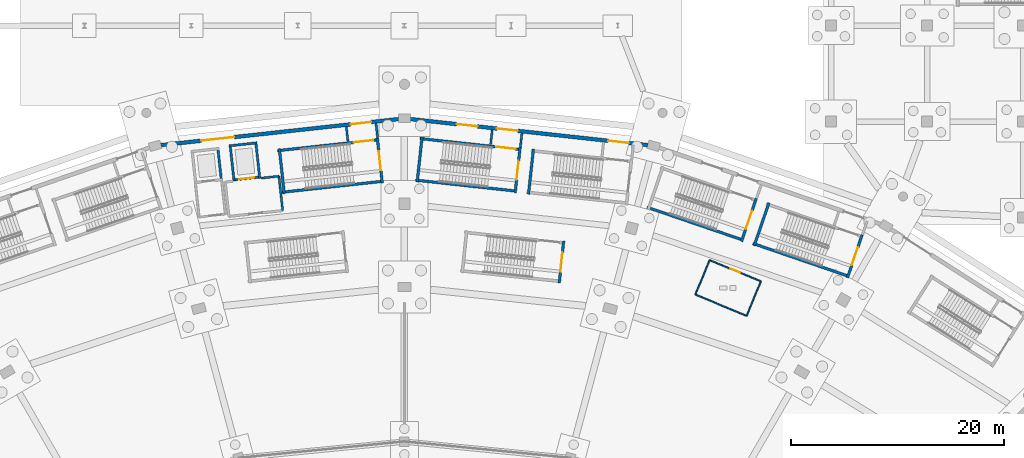
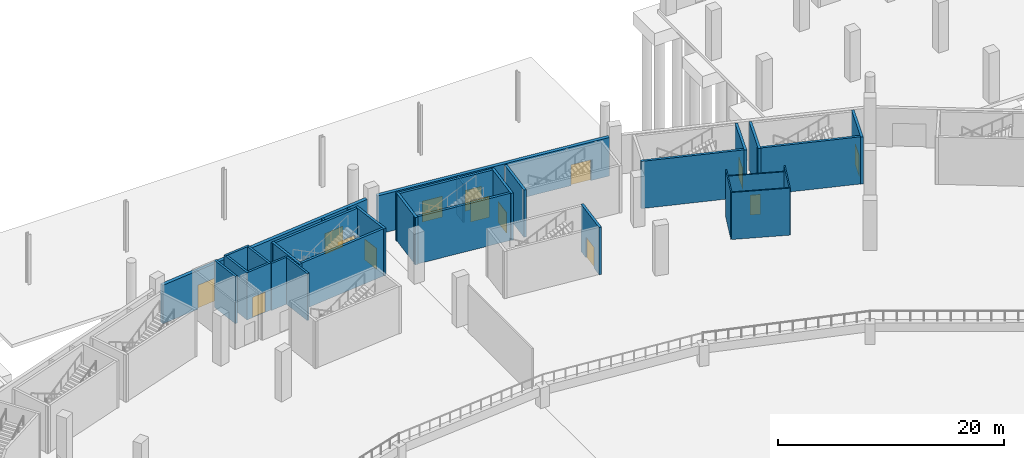
# One storey, part 46 of 103: 32 walls, 14 doors, 14 openings.
"""IFC4 building model written with IfcOpenShell, lengths in metres."""

import ifcopenshell
import ifcopenshell.guid

model = None  # the IFC model being written
_history = None  # IfcOwnerHistory: only IFC2X3 demands one
_inside = {}  # id of a spatial element -> (the spatial element, [elements in it])
_under = {}  # id of a project, library or spatial element -> (it, [spatial elements below it])
_declared = {}  # id of a project -> (the project, [libraries it declares])
_typed = {}  # id of a type object -> (the type object, [elements of that type])
_made_of = {}  # id of a material, layer set ... -> (it, [elements and type objects made of it])


def new_model(schema):
    """Start an empty IFC model of exactly this schema.

    Asked for "IFC4X3", IfcOpenShell would pick the latest addendum, in which some entities
    have other attributes; the version numbers below select the first issue.
    IFC2X3 requires an IfcOwnerHistory on every rooted entity: one is made here for all.
    """
    global model, _history
    if schema == "IFC4X3":
        model = ifcopenshell.file(schema_version=(4, 3, 0, 0))
    else:
        model = ifcopenshell.file(schema=schema)
    _inside.clear()
    _under.clear()
    _declared.clear()
    _typed.clear()
    _made_of.clear()
    _history = None
    if model.schema == "IFC2X3":
        org = make("IfcOrganization", Name="unknown")
        user = make(
            "IfcPersonAndOrganization",
            ThePerson=make("IfcPerson", FamilyName="unknown"),
            TheOrganization=org,
        )
        app = make(
            "IfcApplication",
            ApplicationDeveloper=org,
            Version="unknown",
            ApplicationFullName="unknown",
            ApplicationIdentifier="unknown",
        )
        _history = make(
            "IfcOwnerHistory",
            OwningUser=user,
            OwningApplication=app,
            ChangeAction="ADDED",
            CreationDate=0,
        )
    return model


def make(cls, **values):
    """One entity of the class cls with the attributes given. An attribute that is None is left unset."""
    return model.create_entity(
        cls, **{name: value for name, value in values.items() if value is not None}
    )


def rooted(cls, **values):
    """An entity with a GlobalId (a new one), such as an element, a storey or a relation."""
    return make(cls, GlobalId=ifcopenshell.guid.new(), OwnerHistory=_history, **values)


def si_unit(unit_type, name, prefix=None):
    """IfcSIUnit, for example si_unit("LENGTHUNIT", "METRE", prefix="MILLI")."""
    return make("IfcSIUnit", UnitType=unit_type, Prefix=prefix, Name=name)


def assignment(units):
    """IfcUnitAssignment: the units of a project."""
    return None if units is None else make("IfcUnitAssignment", Units=units)


def point(xyz):
    """IfcCartesianPoint."""
    return None if xyz is None else make("IfcCartesianPoint", Coordinates=xyz)


def direction(xyz):
    """IfcDirection."""
    return None if xyz is None else make("IfcDirection", DirectionRatios=xyz)


def frame(location, z_axis=None, x_axis=None):
    """IfcAxis2Placement3D, a coordinate frame: its origin and axes. An axis left out is left unset."""
    return make(
        "IfcAxis2Placement3D",
        Location=point(location),
        Axis=direction(z_axis),
        RefDirection=direction(x_axis),
    )


def frame_2d(location, x_axis=None):
    """IfcAxis2Placement2D, a coordinate frame in the plane: its origin and x axis."""
    return make(
        "IfcAxis2Placement2D", Location=point(location), RefDirection=direction(x_axis)
    )


def origin():
    """The frame at (0, 0, 0) with its axes left unset."""
    return frame((0.0, 0.0, 0.0))


def place(relative_to, where):
    """IfcLocalPlacement: puts the frame where relative to a parent placement (None: the world)."""
    return make(
        "IfcLocalPlacement", PlacementRelTo=relative_to, RelativePlacement=where
    )


def context(
    kind, dimensions, precision=None, world=None, true_north=None, identifier=None
):
    """IfcGeometricRepresentationContext, for example the 3D "Model" context."""
    return make(
        "IfcGeometricRepresentationContext",
        ContextIdentifier=identifier,
        ContextType=kind,
        CoordinateSpaceDimension=dimensions,
        Precision=precision,
        WorldCoordinateSystem=world,
        TrueNorth=true_north,
    )


def subcontext(parent, identifier, kind, view, scale=None):
    """IfcGeometricRepresentationSubContext, for example "Body" below "Model"."""
    return make(
        "IfcGeometricRepresentationSubContext",
        ContextIdentifier=identifier,
        ContextType=kind,
        ParentContext=parent,
        TargetScale=scale,
        TargetView=view,
    )


def project(units=None, contexts=None):
    """IfcProject with its units and contexts."""
    return rooted(
        "IfcProject",
        Name="project",
        RepresentationContexts=contexts,
        UnitsInContext=assignment(units),
    )


def spatial(cls, under=None, at=None, **own):
    """A site, building, storey or space (cls), placed at a placement, below another one or the project."""
    s = rooted(cls, ObjectPlacement=at, **own)
    if under is not None:
        _under.setdefault(under.id(), (under, []))[1].append(s)
    return s


def profile(cls, at=None, kind="AREA", **sizes):
    """A parametric profile (cls). Its sizes go by their IFC names, for example OverallWidth=200.0."""
    return make(cls, ProfileType=kind, Position=at, **sizes)


def rectangle(**sizes):
    """IfcRectangleProfileDef."""
    return profile("IfcRectangleProfileDef", **sizes)


def extrude(swept, where, along, depth):
    """IfcExtrudedAreaSolid: the profile swept, set in the frame where, extruded along a direction by depth."""
    return make(
        "IfcExtrudedAreaSolid",
        SweptArea=swept,
        Position=where,
        ExtrudedDirection=direction(along),
        Depth=depth,
    )


def shape(context_of_items, identifier, shape_type, items):
    """IfcShapeRepresentation: the items that make up one representation, for example the "Body"."""
    return make(
        "IfcShapeRepresentation",
        ContextOfItems=context_of_items,
        RepresentationIdentifier=identifier,
        RepresentationType=shape_type,
        Items=items,
    )


def material(Name=None, Category=None):
    """IfcMaterial."""
    return make("IfcMaterial", Name=Name, Category=Category)


def layer(
    of_material, thickness, ventilated=None, Name=None, Category=None, Priority=None
):
    """IfcMaterialLayer: one layer of a wall or slab, of a material (None: an air gap)."""
    return make(
        "IfcMaterialLayer",
        Material=of_material,
        LayerThickness=thickness,
        IsVentilated=ventilated,
        Name=Name,
        Category=Category,
        Priority=Priority,
    )


def layer_set(layers, Name=None):
    """IfcMaterialLayerSet."""
    return make("IfcMaterialLayerSet", MaterialLayers=layers, LayerSetName=Name)


def made_of(thing, what):
    """Note that an element or type object is made of a material, layer set ...; save() writes the relation."""
    if what is not None:
        _made_of.setdefault(what.id(), (what, []))[1].append(thing)
    return thing


def type_object(cls, material=None, **own):
    """A type object (cls), such as IfcWallType, which elements share."""
    return made_of(rooted(cls, **own), material)


def element(
    cls,
    number,
    at=None,
    inside=None,
    cuts=None,
    type_object=None,
    material=None,
    context=None,
    identifier="Body",
    shape_type=None,
    held_by="IfcProductDefinitionShape",
    body=None,
    shapes=None,
    **own,
):
    """One element of the class cls, such as IfcWall. Its Tag is "e" and its number.

    at: its placement. inside: the storey or other place that contains it. cuts: it is an
    opening in that element (IfcRelVoidsElement). A single representation is given by context,
    identifier, shape_type and body (its items); several are given by shapes. held_by: the class
    of the entity that holds the representations. save() writes the other relations.
    """
    e = rooted(cls, Tag="e%d" % number, ObjectPlacement=at, **own)
    if body is not None:
        shapes = [shape(context, identifier, shape_type, body)]
    if shapes is not None:
        e.Representation = make(held_by, Representations=shapes)
    if inside is not None:
        _inside.setdefault(inside.id(), (inside, []))[1].append(e)
    if cuts is not None:
        rooted(
            "IfcRelVoidsElement", RelatingBuildingElement=cuts, RelatedOpeningElement=e
        )
    if type_object is not None:
        _typed.setdefault(type_object.id(), (type_object, []))[1].append(e)
    return made_of(e, material)


def fill(opening, filler):
    """IfcRelFillsElement: the door or window that sits in an opening."""
    return rooted(
        "IfcRelFillsElement",
        RelatingOpeningElement=opening,
        RelatedBuildingElement=filler,
    )


def aggregate(whole, parts):
    """IfcRelAggregates: a whole, such as a stair, and the parts it consists of."""
    return rooted("IfcRelAggregates", RelatingObject=whole, RelatedObjects=parts)


def save(model, path):
    """Write the relations noted so far, then the file.

    IfcRelAggregates (storeys below a building ...), IfcRelContainedInSpatialStructure (elements
    in a storey), IfcRelDefinesByType, IfcRelAssociatesMaterial and IfcRelDeclares: one each for
    every whole, place, type object, material and project.
    """
    for whole, parts in _under.values():
        aggregate(whole, parts)
    for where, things in _inside.values():
        rooted(
            "IfcRelContainedInSpatialStructure",
            RelatedElements=things,
            RelatingStructure=where,
        )
    for kind, things in _typed.values():
        rooted("IfcRelDefinesByType", RelatedObjects=things, RelatingType=kind)
    for what, things in _made_of.values():
        rooted("IfcRelAssociatesMaterial", RelatedObjects=things, RelatingMaterial=what)
    for by, libraries in _declared.values():
        rooted("IfcRelDeclares", RelatingContext=by, RelatedDefinitions=libraries)
    model.write(path)


model = new_model("IFC4")

# Units and contexts
model_context = context("Model", 3, precision=1e-05, world=origin(), true_north=direction((0.0, 1.0)))
body_context = subcontext(model_context, "Body", "Model", "MODEL_VIEW")
ifc_project = project(units=[si_unit("LENGTHUNIT", "METRE"), si_unit("AREAUNIT", "SQUARE_METRE"), si_unit("VOLUMEUNIT", "CUBIC_METRE"), si_unit("PLANEANGLEUNIT", "RADIAN"), si_unit("MASSUNIT", "GRAM", prefix="KILO")], contexts=[model_context])

# Site, building, storey
site_placement = place(None, origin())
site = spatial("IfcSite", under=ifc_project, at=site_placement, CompositionType="ELEMENT")
building_placement = place(site_placement, origin())
building = spatial("IfcBuilding", under=site, at=building_placement, Name="Zevraka Park Crest Stadium", CompositionType="ELEMENT")
storey_placement = place(building_placement, origin())
storey = spatial("IfcBuildingStorey", under=building, at=storey_placement, Name="L00", CompositionType="ELEMENT", Elevation=0.0)

# Wall, openings, doors
ifc_material_1 = material(Name="Limestone and red clay brick masonry", Category="masonry")
ifc_layer_1 = layer(ifc_material_1, 0.35009765625)
ifc_layer_set_1 = layer_set([ifc_layer_1], Name="Limestone and red clay brick masonry")
wall_type_1 = type_object("IfcWallType", Name="EW01", PredefinedType="STANDARD", material=ifc_layer_set_1)
wall_1_placement = place(storey_placement, frame((112.52490234375, 167.241943359375, 0.0), z_axis=(0.0, 0.0, 1.0), x_axis=(0.994028735725, -0.10911861689, 0.0)))
wall_1 = element("IfcWall", 1, at=wall_1_placement, inside=storey, type_object=wall_type_1, Name="L00 Pointed-Arch Colonnade Wall EW01 05", PredefinedType="STANDARD", context=body_context, shape_type="SweptSolid", body=[
    extrude(rectangle(XDim=22.4521484375, YDim=0.35009765625, at=frame_2d((11.22607421875, 0.0))), origin(), (0.0, 0.0, 1.0), 4.1650390625),
])
opening_1_placement = place(wall_1_placement, frame((18.697021484375, 0.0, 0.0)))
opening_1 = element("IfcOpeningElement", 2, at=opening_1_placement, cuts=wall_1, Name="Opening D-L00-EX-ST06", PredefinedType="OPENING", context=body_context, shape_type="SweptSolid", body=[
    extrude(rectangle(XDim=1.949951171875, YDim=2.25, at=frame_2d((0.97509765625, 1.125))), frame((0.0, 0.18505859375, 0.0), z_axis=(0.0, -1.0, 0.0), x_axis=(1.0, 0.0, 0.0)), (0.0, 0.0, 1.0), 0.3701171875),
])
opening_2_placement = place(wall_1_placement, frame((8.197021484375, 0.0, 0.0)))
opening_2 = element("IfcOpeningElement", 3, at=opening_2_placement, cuts=wall_1, Name="Opening D-L00-EX-ST26", PredefinedType="OPENING", context=body_context, shape_type="SweptSolid", body=[
    extrude(rectangle(XDim=1.949951171875, YDim=2.25, at=frame_2d((0.97509765625, 1.125))), frame((0.0, 0.18505859375, 0.0), z_axis=(0.0, -1.0, 0.0), x_axis=(1.0, 0.0, 0.0)), (0.0, 0.0, 1.0), 0.3701171875),
])
opening_3_placement = place(wall_1_placement, frame((4.4130859375, 0.0, 0.0)))
opening_3 = element("IfcOpeningElement", 4, at=opening_3_placement, cuts=wall_1, Name="Opening D-L00-E06", PredefinedType="OPENING", context=body_context, shape_type="SweptSolid", body=[
    extrude(rectangle(XDim=1.949951171875, YDim=2.25, at=frame_2d((0.97509765625, 1.125))), frame((0.0, 0.18505859375, 0.0), z_axis=(0.0, -1.0, 0.0), x_axis=(1.0, 0.0, 0.0)), (0.0, 0.0, 1.0), 0.3701171875),
])
ifc_material_2 = material(Name="Thermally broken architectural aluminium and safety glass", Category="aluminium")
door_type_1 = type_object("IfcDoorType", Name="ED05", OperationType="NOTDEFINED", PredefinedType="DOOR", material=ifc_material_2)
door_1_placement = place(opening_1_placement, origin())
door_1 = element("IfcDoor", 5, at=door_1_placement, inside=storey, type_object=door_type_1, Name="Stair Final Exit Discharge Door D-L00-EX-ST06", OperationType="DOUBLE_DOOR_SINGLE_SWING", OverallHeight=2.25, OverallWidth=1.949951171875, PredefinedType="DOOR", context=body_context, shape_type="SweptSolid", body=[
    extrude(rectangle(XDim=1.949951171875, YDim=2.25, at=frame_2d((0.97509765625, 1.125))), frame((0.0, 0.02490234375, 0.0), z_axis=(0.0, -1.0, 0.0), x_axis=(1.0, 0.0, 0.0)), (0.0, 0.0, 1.0), 0.050048828125),
])
fill(opening_1, door_1)
door_2_placement = place(opening_2_placement, origin())
door_2 = element("IfcDoor", 6, at=door_2_placement, inside=storey, type_object=door_type_1, Name="Stair Final Exit Discharge Door D-L00-EX-ST26", OperationType="DOUBLE_DOOR_SINGLE_SWING", OverallHeight=2.25, OverallWidth=1.949951171875, PredefinedType="DOOR", context=body_context, shape_type="SweptSolid", body=[
    extrude(rectangle(XDim=1.949951171875, YDim=2.25, at=frame_2d((0.97509765625, 1.125))), frame((0.0, 0.02490234375, 0.0), z_axis=(0.0, -1.0, 0.0), x_axis=(1.0, 0.0, 0.0)), (0.0, 0.0, 1.0), 0.050048828125),
])
fill(opening_2, door_2)
door_3_placement = place(opening_3_placement, origin())
door_3 = element("IfcDoor", 7, at=door_3_placement, inside=storey, type_object=door_type_1, Name="Concourse Final Exit E06", OperationType="DOUBLE_DOOR_SINGLE_SWING", OverallHeight=2.25, OverallWidth=1.949951171875, PredefinedType="DOOR", context=body_context, shape_type="SweptSolid", body=[
    extrude(rectangle(XDim=1.949951171875, YDim=2.25, at=frame_2d((0.97509765625, 1.125))), frame((0.0, 0.02490234375, 0.0), z_axis=(0.0, -1.0, 0.0), x_axis=(1.0, 0.0, 0.0)), (0.0, 0.0, 1.0), 0.050048828125),
])
fill(opening_3, door_3)

wall_2_placement = place(storey_placement, frame((89.156982421875, 164.7919921875, 0.0), z_axis=(0.0, 0.0, 1.0), x_axis=(0.994028735725, 0.10911861689, 0.0)))
wall_2 = element("IfcWall", 8, at=wall_2_placement, inside=storey, type_object=wall_type_1, Name="L00 Pointed-Arch Colonnade Wall EW01 06", PredefinedType="STANDARD", context=body_context, shape_type="SweptSolid", body=[
    extrude(rectangle(XDim=22.4521484375, YDim=0.35009765625, at=frame_2d((11.22607421875, 0.0))), origin(), (0.0, 0.0, 1.0), 4.1650390625),
])
opening_4_placement = place(wall_2_placement, frame((17.906005859375, 0.0, 0.0)))
opening_4 = element("IfcOpeningElement", 9, at=opening_4_placement, cuts=wall_2, Name="Opening D-L00-EX-ST07", PredefinedType="OPENING", context=body_context, shape_type="SweptSolid", body=[
    extrude(rectangle(XDim=1.949951171875, YDim=2.25, at=frame_2d((0.97509765625, 1.125))), frame((0.0, 0.18505859375, 0.0), z_axis=(0.0, -1.0, 0.0), x_axis=(1.0, 0.0, 0.0)), (0.0, 0.0, 1.0), 0.3701171875),
])
opening_5_placement = place(wall_2_placement, frame((3.837890625, 0.0, 0.0)))
opening_5 = element("IfcOpeningElement", 10, at=opening_5_placement, cuts=wall_2, Name="Opening D-L00-E07", PredefinedType="OPENING", context=body_context, shape_type="SweptSolid", body=[
    extrude(rectangle(XDim=3.10009765625, YDim=2.580078125, at=frame_2d((1.550048828125, 1.2900390625))), frame((0.0, 0.18505859375, 0.0), z_axis=(0.0, -1.0, 0.0), x_axis=(1.0, 0.0, 0.0)), (0.0, 0.0, 1.0), 0.3701171875),
])
door_4_placement = place(opening_4_placement, origin())
door_4 = element("IfcDoor", 11, at=door_4_placement, inside=storey, type_object=door_type_1, Name="Stair Final Exit Discharge Door D-L00-EX-ST07", OperationType="DOUBLE_DOOR_SINGLE_SWING", OverallHeight=2.25, OverallWidth=1.949951171875, PredefinedType="DOOR", context=body_context, shape_type="SweptSolid", body=[
    extrude(rectangle(XDim=1.949951171875, YDim=2.25, at=frame_2d((0.97509765625, 1.125))), frame((0.0, 0.02490234375, 0.0), z_axis=(0.0, -1.0, 0.0), x_axis=(1.0, 0.0, 0.0)), (0.0, 0.0, 1.0), 0.050048828125),
])
fill(opening_4, door_4)
ifc_material_3 = material(Name="Thermally broken architectural aluminium and safety glass", Category="aluminium")
door_type_2 = type_object("IfcDoorType", Name="ED11", OperationType="NOTDEFINED", PredefinedType="DOOR", material=ifc_material_3)
door_5_placement = place(opening_5_placement, origin())
door_5 = element("IfcDoor", 12, at=door_5_placement, inside=storey, type_object=door_type_2, Name="Concourse Final Exit E07", OperationType="DOUBLE_DOOR_SINGLE_SWING", OverallHeight=2.580078125, OverallWidth=3.10009765625, PredefinedType="DOOR", context=body_context, shape_type="SweptSolid", body=[
    extrude(rectangle(XDim=3.10009765625, YDim=2.580078125, at=frame_2d((1.550048828125, 1.2900390625))), frame((0.0, 0.02490234375, 0.0), z_axis=(0.0, -1.0, 0.0), x_axis=(1.0, 0.0, 0.0)), (0.0, 0.0, 1.0), 0.050048828125),
])
fill(opening_5, door_5)

# Walls
ifc_material_4 = material(Name="Autoclaved aerated masonry blockwork", Category="masonry")
ifc_layer_2 = layer(ifc_material_4, 0.199951171875)
ifc_layer_set_2 = layer_set([ifc_layer_2], Name="Autoclaved aerated masonry blockwork")
wall_type_2 = type_object("IfcWallType", Name="IW01", PredefinedType="PARTITIONING", material=ifc_layer_set_2)
wall_3_placement = place(storey_placement, frame((109.485107421875, 165.46875, 0.0), z_axis=(0.0, 0.0, 1.0), x_axis=(-0.109371701479, 0.994000920983, 0.0)))
element("IfcWall", 13, at=wall_3_placement, inside=storey, type_object=wall_type_2, Name="Protected Exit Passageway Wall IW01 ST07-A", PredefinedType="PARTITIONING", context=body_context, shape_type="SweptSolid", body=[
    extrude(rectangle(XDim=1.390625, YDim=0.199951171875, at=frame_2d((0.6953125, 0.0))), origin(), (0.0, 0.0, 1.0), 4.1650390625),
])
wall_4_placement = place(storey_placement, frame((106.701416015625, 165.165771484375, 0.0), z_axis=(0.0, 0.0, 1.0), x_axis=(-0.109022528394, 0.994039279054, 0.0)))
element("IfcWall", 14, at=wall_4_placement, inside=storey, type_object=wall_type_2, Name="Protected Exit Passageway Wall IW01 ST07-B", PredefinedType="PARTITIONING", context=body_context, shape_type="SweptSolid", body=[
    extrude(rectangle(XDim=1.388427734375, YDim=0.199951171875, at=frame_2d((0.6943359375, 0.0))), origin(), (0.0, 0.0, 1.0), 4.1650390625),
])
wall_5_placement = place(storey_placement, frame((122.8662109375, 164.559326171875, 0.0), z_axis=(0.0, 0.0, 1.0), x_axis=(0.109094546517, 0.994031377734, 0.0)))
element("IfcWall", 15, at=wall_5_placement, inside=storey, type_object=wall_type_2, Name="Protected Exit Passageway Wall IW01 ST26-A", PredefinedType="PARTITIONING", context=body_context, shape_type="SweptSolid", body=[
    extrude(rectangle(XDim=1.383056640625, YDim=0.199951171875, at=frame_2d((0.69140625, 0.0))), origin(), (0.0, 0.0, 1.0), 4.1650390625),
])
wall_6_placement = place(storey_placement, frame((120.08251953125, 164.8623046875, 0.0), z_axis=(0.0, 0.0, 1.0), x_axis=(0.109213425596, 0.994018323609, 0.0)))
element("IfcWall", 16, at=wall_6_placement, inside=storey, type_object=wall_type_2, Name="Protected Exit Passageway Wall IW01 ST26-B", PredefinedType="PARTITIONING", context=body_context, shape_type="SweptSolid", body=[
    extrude(rectangle(XDim=1.385986328125, YDim=0.199951171875, at=frame_2d((0.69287109375, 0.0))), origin(), (0.0, 0.0, 1.0), 4.1650390625),
])
wall_7_placement = place(storey_placement, frame((98.52490234375, 161.697998046875, 0.0), z_axis=(0.0, 0.0, 1.0), x_axis=(0.994135511072, 0.108141507414, 0.0)))
element("IfcWall", 17, at=wall_7_placement, inside=storey, type_object=wall_type_2, Name="Firefighting Lift Lobby Wall IW01 FL02 L00 BACKR", PredefinedType="PARTITIONING", context=body_context, shape_type="SweptSolid", body=[
    extrude(rectangle(XDim=1.72021484375, YDim=0.199951171875, at=frame_2d((0.860107421875, 0.0))), origin(), (0.0, 0.0, 1.0), 5.080078125),
])
wall_8_placement = place(storey_placement, frame((100.235107421875, 161.884033203125, 0.0), z_axis=(0.0, 0.0, 1.0), x_axis=(0.108280975823, -0.994120329877, 0.0)))
element("IfcWall", 18, at=wall_8_placement, inside=storey, type_object=wall_type_2, Name="Firefighting Lift Lobby Wall IW01 FL02 L00 RIGHT", PredefinedType="PARTITIONING", context=body_context, shape_type="SweptSolid", body=[
    extrude(rectangle(XDim=3.239990234375, YDim=0.199951171875, at=frame_2d((1.6201171875, 0.0))), origin(), (0.0, 0.0, 1.0), 5.080078125),
])
ifc_material_5 = material(Name="Moisture-resistant sanitary partition", Category="other")
ifc_layer_3 = layer(ifc_material_5, 0.1201171875)
ifc_layer_set_3 = layer_set([ifc_layer_3], Name="Moisture-resistant sanitary partition")
wall_type_3 = type_object("IfcWallType", Name="IW04", PredefinedType="PARTITIONING", material=ifc_layer_set_3)
wall_9_placement = place(storey_placement, frame((144.0791015625, 148.7939453125, 0.0), z_axis=(0.0, 0.0, 1.0), x_axis=(-0.923877780955, 0.38268766097, 0.0)))
element("IfcWall", 19, at=wall_9_placement, inside=storey, type_object=wall_type_3, Name="Sanitary Enclosure Wall IW04 Female WC L00-002-1", PredefinedType="PARTITIONING", context=body_context, shape_type="SweptSolid", body=[
    extrude(rectangle(XDim=5.199951171875, YDim=0.1201171875, at=frame_2d((2.60009765625, 0.0))), origin(), (0.0, 0.0, 1.0), 5.080078125),
])
wall_10_placement = place(storey_placement, frame((139.27490234375, 150.783935546875, 0.0), z_axis=(0.0, 0.0, 1.0), x_axis=(0.38265781443, 0.923890143391, 0.0)))
element("IfcWall", 20, at=wall_10_placement, inside=storey, type_object=wall_type_3, Name="Sanitary Enclosure Wall IW04 Female WC L00-002-2", PredefinedType="PARTITIONING", context=body_context, shape_type="SweptSolid", body=[
    extrude(rectangle(XDim=3.49951171875, YDim=0.1201171875, at=frame_2d((1.749755859375, 0.0))), origin(), (0.0, 0.0, 1.0), 5.080078125),
])

# Wall, opening, door
wall_11_placement = place(storey_placement, frame((140.614013671875, 154.01708984375, 0.0), z_axis=(0.0, 0.0, 1.0), x_axis=(0.923898404293, -0.382637868675, 0.0)))
wall_11 = element("IfcWall", 21, at=wall_11_placement, inside=storey, type_object=wall_type_3, Name="Sanitary Enclosure Wall IW04 Female WC L00-002-3", PredefinedType="PARTITIONING", context=body_context, shape_type="SweptSolid", body=[
    extrude(rectangle(XDim=5.20068359375, YDim=0.1201171875, at=frame_2d((2.600341796875, 0.0))), origin(), (0.0, 0.0, 1.0), 4.4150390625),
])
opening_6_placement = place(wall_11_placement, frame((2.125, 0.0, 0.0)))
opening_6 = element("IfcOpeningElement", 22, at=opening_6_placement, cuts=wall_11, Name="Opening D-L00-338", PredefinedType="OPENING", context=body_context, shape_type="SweptSolid", body=[
    extrude(rectangle(XDim=0.949951171875, YDim=2.14990234375, at=frame_2d((0.47509765625, 1.074951171875))), frame((0.0, 0.070068359375, 0.0), z_axis=(0.0, -1.0, 0.0), x_axis=(1.0, 0.0, 0.0)), (0.0, 0.0, 1.0), 0.14013671875),
])
ifc_material_6 = material(Name="Solid-core hardwood timber leaf in steel frame", Category="steel")
door_type_3 = type_object("IfcDoorType", Name="DR08", OperationType="NOTDEFINED", PredefinedType="DOOR", material=ifc_material_6)
door_6_placement = place(opening_6_placement, origin())
door_6 = element("IfcDoor", 23, at=door_6_placement, inside=storey, type_object=door_type_3, Name="Female WC Door D-L00-338", OperationType="SINGLE_SWING_RIGHT", OverallHeight=2.14990234375, OverallWidth=0.949951171875, PredefinedType="DOOR", context=body_context, shape_type="SweptSolid", body=[
    extrude(rectangle(XDim=0.949951171875, YDim=2.14990234375, at=frame_2d((0.47509765625, 1.074951171875))), frame((0.0, 0.02490234375, 0.0), z_axis=(0.0, -1.0, 0.0), x_axis=(1.0, 0.0, 0.0)), (0.0, 0.0, 1.0), 0.050048828125),
])
fill(opening_6, door_6)

# Walls
wall_12_placement = place(storey_placement, frame((145.4189453125, 152.027099609375, 0.0), z_axis=(0.0, 0.0, 1.0), x_axis=(-0.38283644003, -0.923816139816, 0.0)))
element("IfcWall", 24, at=wall_12_placement, inside=storey, type_object=wall_type_3, Name="Sanitary Enclosure Wall IW04 Female WC L00-002-4", PredefinedType="PARTITIONING", context=body_context, shape_type="SweptSolid", body=[
    extrude(rectangle(XDim=3.499755859375, YDim=0.1201171875, at=frame_2d((1.75, 0.0))), origin(), (0.0, 0.0, 1.0), 5.080078125),
])
ifc_material_7 = material(Name="Concrete C40/50", Category="concrete")
ifc_layer_4 = layer(ifc_material_7, 0.25)
ifc_layer_set_4 = layer_set([ifc_layer_4], Name="Concrete C40/50")
wall_type_4 = type_object("IfcWallType", Name="SW01", PredefinedType="SHEAR", material=ifc_layer_set_4)
wall_13_placement = place(storey_placement, frame((144.671630859375, 155.576171875, 0.0), z_axis=(0.0, 0.0, 1.0), x_axis=(0.946064424228, -0.323978556712, 0.0)))
element("IfcWall", 25, at=wall_13_placement, inside=storey, type_object=wall_type_4, Name="Stair Core Shear Wall SW01 ST05 L00 right", PredefinedType="SHEAR", context=body_context, shape_type="SweptSolid", body=[
    extrude(rectangle(XDim=9.550048828125, YDim=0.25, at=frame_2d((4.77490234375, 0.0))), origin(), (0.0, 0.0, 1.0), 5.10009765625),
])

# Wall, opening, door
wall_14_placement = place(storey_placement, frame((153.533203125, 152.36181640625, 0.0), z_axis=(0.0, 0.0, 1.0), x_axis=(0.323971192516, 0.946066946056, 0.0)))
wall_14 = element("IfcWall", 26, at=wall_14_placement, inside=storey, type_object=wall_type_4, Name="Stair Core Shear Wall SW01 ST05 L00 near", PredefinedType="SHEAR", context=body_context, shape_type="SweptSolid", body=[
    extrude(rectangle(XDim=4.260009765625, YDim=0.25, at=frame_2d((2.1298828125, 0.0))), origin(), (0.0, 0.0, 1.0), 5.10009765625),
])
opening_7_placement = place(wall_14_placement, frame((1.22998046875, 0.0, 0.0)))
opening_7 = element("IfcOpeningElement", 27, at=opening_7_placement, cuts=wall_14, Name="Opening D-L00-026", PredefinedType="OPENING", context=body_context, shape_type="SweptSolid", body=[
    extrude(rectangle(XDim=1.800048828125, YDim=2.25, at=frame_2d((0.89990234375, 1.125))), frame((0.0, 0.135009765625, 0.0), z_axis=(0.0, -1.0, 0.0), x_axis=(1.0, 0.0, 0.0)), (0.0, 0.0, 1.0), 0.27001953125),
])
ifc_material_8 = material(Name="Solid-core hardwood timber leaf in steel frame", Category="steel")
door_type_4 = type_object("IfcDoorType", Name="DR04", OperationType="NOTDEFINED", PredefinedType="DOOR", material=ifc_material_8)
door_7_placement = place(opening_7_placement, origin())
door_7 = element("IfcDoor", 28, at=door_7_placement, inside=storey, type_object=door_type_4, Name="Protected Stair Entry Door ST05 L00", OperationType="DOUBLE_DOOR_SINGLE_SWING", OverallHeight=2.25, OverallWidth=1.800048828125, PredefinedType="DOOR", context=body_context, shape_type="SweptSolid", body=[
    extrude(rectangle(XDim=1.800048828125, YDim=2.25, at=frame_2d((0.89990234375, 1.125))), frame((0.0, 0.02490234375, 0.0), z_axis=(0.0, -1.0, 0.0), x_axis=(1.0, 0.0, 0.0)), (0.0, 0.0, 1.0), 0.050048828125),
])
fill(opening_7, door_7)

# Walls
for number, where, z_axis, x_axis, name in (
    (29, (146.171630859375, 159.385498046875, 0.0), (0.0, 0.0, 1.0), (-0.323971192516, -0.946066946056, 0.0), "Stair Core Shear Wall SW01 ST05 L00 far"),
    (30, (124.093505859375, 164.426025390625, 0.0), (0.0, 0.0, 1.0), (-0.108198315262, -0.994129329903, 0.0), "Stair Core Shear Wall SW01 ST06 L00 far"),
):
    element("IfcWall", number, at=place(storey_placement, frame(where, z_axis=z_axis, x_axis=x_axis)), inside=storey, type_object=wall_type_4, Name=name, PredefinedType="SHEAR", context=body_context, shape_type="SweptSolid", body=[
        extrude(rectangle(XDim=4.260009765625, YDim=0.25, at=frame_2d((2.1298828125, 0.0))), origin(), (0.0, 0.0, 1.0), 5.10009765625),
    ])

# Wall, opening, door
wall_15_placement = place(storey_placement, frame((100.10888671875, 164.277099609375, 0.0), z_axis=(0.0, 0.0, 1.0), x_axis=(0.994127555169, 0.108214620337, 0.0)))
wall_15 = element("IfcWall", 31, at=wall_15_placement, inside=storey, type_object=wall_type_4, Name="Stair Core Shear Wall SW01 ST07 L00 left", PredefinedType="SHEAR", context=body_context, shape_type="SweptSolid", body=[
    extrude(rectangle(XDim=9.550048828125, YDim=0.25, at=frame_2d((4.77490234375, 0.0))), origin(), (0.0, 0.0, 1.0), 5.10009765625),
])
opening_8_placement = place(wall_15_placement, frame((7.18994140625, 0.0, 0.0)))
opening_8 = element("IfcOpeningElement", 32, at=opening_8_placement, cuts=wall_15, Name="Opening D-L00-038", PredefinedType="OPENING", context=body_context, shape_type="SweptSolid", body=[
    extrude(rectangle(XDim=1.85009765625, YDim=2.300048828125, at=frame_2d((0.925048828125, 1.14990234375))), frame((0.0, 0.135009765625, 0.0), z_axis=(0.0, -1.0, 0.0), x_axis=(1.0, 0.0, 0.0)), (0.0, 0.0, 1.0), 0.27001953125),
])
ifc_material_9 = material(Name="Solid-core hardwood timber leaf in steel frame", Category="steel")
door_type_5 = type_object("IfcDoorType", Name="DR05", OperationType="NOTDEFINED", PredefinedType="DOOR", material=ifc_material_9)
door_8_placement = place(opening_8_placement, origin())
door_8 = element("IfcDoor", 33, at=door_8_placement, inside=storey, type_object=door_type_5, Name="Stair Exit Discharge Door ST07", OperationType="DOUBLE_DOOR_SINGLE_SWING", OverallHeight=2.300048828125, OverallWidth=1.85009765625, PredefinedType="DOOR", context=body_context, shape_type="SweptSolid", body=[
    extrude(rectangle(XDim=1.85009765625, YDim=2.300048828125, at=frame_2d((0.925048828125, 1.14990234375))), frame((0.0, 0.02490234375, 0.0), z_axis=(0.0, -1.0, 0.0), x_axis=(1.0, 0.0, 0.0)), (0.0, 0.0, 1.0), 0.050048828125),
])
fill(opening_8, door_8)

# Wall
wall_16_placement = place(storey_placement, frame((100.533203125, 160.380126953125, 0.0), z_axis=(0.0, 0.0, 1.0), x_axis=(0.994127555169, 0.108214620337, 0.0)))
element("IfcWall", 34, at=wall_16_placement, inside=storey, type_object=wall_type_4, Name="Stair Core Shear Wall SW01 ST07 L00 right", PredefinedType="SHEAR", context=body_context, shape_type="SweptSolid", body=[
    extrude(rectangle(XDim=9.550048828125, YDim=0.25, at=frame_2d((4.77490234375, 0.0))), origin(), (0.0, 0.0, 1.0), 5.10009765625),
])

# Wall, opening, door
wall_17_placement = place(storey_placement, frame((109.921142578125, 161.23095703125, 0.0), z_axis=(0.0, 0.0, 1.0), x_axis=(-0.108198315262, 0.994129329903, 0.0)))
wall_17 = element("IfcWall", 35, at=wall_17_placement, inside=storey, type_object=wall_type_4, Name="Stair Core Shear Wall SW01 ST07 L00 near", PredefinedType="SHEAR", context=body_context, shape_type="SweptSolid", body=[
    extrude(rectangle(XDim=4.260009765625, YDim=0.25, at=frame_2d((2.1298828125, 0.0))), origin(), (0.0, 0.0, 1.0), 5.10009765625),
])
opening_9_placement = place(wall_17_placement, frame((1.22998046875, 0.0, 0.0)))
opening_9 = element("IfcOpeningElement", 36, at=opening_9_placement, cuts=wall_17, Name="Opening D-L00-037", PredefinedType="OPENING", context=body_context, shape_type="SweptSolid", body=[
    extrude(rectangle(XDim=1.800048828125, YDim=2.25, at=frame_2d((0.89990234375, 1.125))), frame((0.0, 0.135009765625, 0.0), z_axis=(0.0, -1.0, 0.0), x_axis=(1.0, 0.0, 0.0)), (0.0, 0.0, 1.0), 0.27001953125),
])
door_9_placement = place(opening_9_placement, origin())
door_9 = element("IfcDoor", 37, at=door_9_placement, inside=storey, type_object=door_type_4, Name="Protected Stair Entry Door ST07 L00", OperationType="DOUBLE_DOOR_SINGLE_SWING", OverallHeight=2.25, OverallWidth=1.800048828125, PredefinedType="DOOR", context=body_context, shape_type="SweptSolid", body=[
    extrude(rectangle(XDim=1.800048828125, YDim=2.25, at=frame_2d((0.89990234375, 1.125))), frame((0.0, 0.02490234375, 0.0), z_axis=(0.0, -1.0, 0.0), x_axis=(1.0, 0.0, 0.0)), (0.0, 0.0, 1.0), 0.050048828125),
])
fill(opening_9, door_9)

# Walls
wall_18_placement = place(storey_placement, frame((100.2744140625, 164.466064453125, 0.0), z_axis=(0.0, 0.0, 1.0), x_axis=(0.108204479885, -0.994128658944, 0.0)))
element("IfcWall", 38, at=wall_18_placement, inside=storey, type_object=wall_type_4, Name="Stair Core Shear Wall SW01 ST07 L00 far", PredefinedType="SHEAR", context=body_context, shape_type="SweptSolid", body=[
    extrude(rectangle(XDim=4.259765625, YDim=0.25, at=frame_2d((2.1298828125, 0.0))), origin(), (0.0, 0.0, 1.0), 5.10009765625),
])
wall_19_placement = place(storey_placement, frame((134.737548828125, 158.97705078125, 0.0), z_axis=(0.0, 0.0, 1.0), x_axis=(0.946064424228, -0.323978556712, 0.0)))
element("IfcWall", 39, at=wall_19_placement, inside=storey, type_object=wall_type_4, Name="Stair Core Shear Wall SW01 ST25 L00 right", PredefinedType="SHEAR", context=body_context, shape_type="SweptSolid", body=[
    extrude(rectangle(XDim=9.550048828125, YDim=0.25, at=frame_2d((4.77490234375, 0.0))), origin(), (0.0, 0.0, 1.0), 5.10009765625),
])

# Wall, opening, door
wall_20_placement = place(storey_placement, frame((143.59912109375, 155.7626953125, 0.0), z_axis=(0.0, 0.0, 1.0), x_axis=(0.323971192516, 0.946066946056, 0.0)))
wall_20 = element("IfcWall", 40, at=wall_20_placement, inside=storey, type_object=wall_type_4, Name="Stair Core Shear Wall SW01 ST25 L00 near", PredefinedType="SHEAR", context=body_context, shape_type="SweptSolid", body=[
    extrude(rectangle(XDim=4.260009765625, YDim=0.25, at=frame_2d((2.1298828125, 0.0))), origin(), (0.0, 0.0, 1.0), 5.10009765625),
])
opening_10_placement = place(wall_20_placement, frame((1.22998046875, 0.0, 0.0)))
opening_10 = element("IfcOpeningElement", 41, at=opening_10_placement, cuts=wall_20, Name="Opening D-L00-145", PredefinedType="OPENING", context=body_context, shape_type="SweptSolid", body=[
    extrude(rectangle(XDim=1.800048828125, YDim=2.25, at=frame_2d((0.89990234375, 1.125))), frame((0.0, 0.135009765625, 0.0), z_axis=(0.0, -1.0, 0.0), x_axis=(1.0, 0.0, 0.0)), (0.0, 0.0, 1.0), 0.27001953125),
])
door_10_placement = place(opening_10_placement, origin())
door_10 = element("IfcDoor", 42, at=door_10_placement, inside=storey, type_object=door_type_4, Name="Protected Stair Entry Door ST25 L00", OperationType="DOUBLE_DOOR_SINGLE_SWING", OverallHeight=2.25, OverallWidth=1.800048828125, PredefinedType="DOOR", context=body_context, shape_type="SweptSolid", body=[
    extrude(rectangle(XDim=1.800048828125, YDim=2.25, at=frame_2d((0.89990234375, 1.125))), frame((0.0, 0.02490234375, 0.0), z_axis=(0.0, -1.0, 0.0), x_axis=(1.0, 0.0, 0.0)), (0.0, 0.0, 1.0), 0.050048828125),
])
fill(opening_10, door_10)

wall_21_placement = place(storey_placement, frame((113.453369140625, 165.412841796875, 0.0), z_axis=(0.0, 0.0, 1.0), x_axis=(0.994127555169, -0.108214620337, 0.0)))
wall_21 = element("IfcWall", 43, at=wall_21_placement, inside=storey, type_object=wall_type_4, Name="Stair Core Shear Wall SW01 ST26 L00 left", PredefinedType="SHEAR", context=body_context, shape_type="SweptSolid", body=[
    extrude(rectangle(XDim=9.550048828125, YDim=0.25, at=frame_2d((4.77490234375, 0.0))), origin(), (0.0, 0.0, 1.0), 5.10009765625),
])
opening_11_placement = place(wall_21_placement, frame((7.18994140625, 0.0, 0.0)))
opening_11 = element("IfcOpeningElement", 44, at=opening_11_placement, cuts=wall_21, Name="Opening D-L00-151", PredefinedType="OPENING", context=body_context, shape_type="SweptSolid", body=[
    extrude(rectangle(XDim=1.85009765625, YDim=2.300048828125, at=frame_2d((0.925048828125, 1.14990234375))), frame((0.0, 0.135009765625, 0.0), z_axis=(0.0, -1.0, 0.0), x_axis=(1.0, 0.0, 0.0)), (0.0, 0.0, 1.0), 0.27001953125),
])
door_11_placement = place(opening_11_placement, origin())
door_11 = element("IfcDoor", 45, at=door_11_placement, inside=storey, type_object=door_type_5, Name="Stair Exit Discharge Door ST26", OperationType="DOUBLE_DOOR_SINGLE_SWING", OverallHeight=2.300048828125, OverallWidth=1.85009765625, PredefinedType="DOOR", context=body_context, shape_type="SweptSolid", body=[
    extrude(rectangle(XDim=1.85009765625, YDim=2.300048828125, at=frame_2d((0.925048828125, 1.14990234375))), frame((0.0, 0.02490234375, 0.0), z_axis=(0.0, -1.0, 0.0), x_axis=(1.0, 0.0, 0.0)), (0.0, 0.0, 1.0), 0.050048828125),
])
fill(opening_11, door_11)

# Wall
wall_22_placement = place(storey_placement, frame((113.029052734375, 161.515869140625, 0.0), z_axis=(0.0, 0.0, 1.0), x_axis=(0.994127555169, -0.108214620337, 0.0)))
element("IfcWall", 46, at=wall_22_placement, inside=storey, type_object=wall_type_4, Name="Stair Core Shear Wall SW01 ST26 L00 right", PredefinedType="SHEAR", context=body_context, shape_type="SweptSolid", body=[
    extrude(rectangle(XDim=9.550048828125, YDim=0.25, at=frame_2d((4.77490234375, 0.0))), origin(), (0.0, 0.0, 1.0), 5.10009765625),
])

# Wall, opening, door
wall_23_placement = place(storey_placement, frame((122.38037109375, 160.326904296875, 0.0), z_axis=(0.0, 0.0, 1.0), x_axis=(0.108198315262, 0.994129329903, 0.0)))
wall_23 = element("IfcWall", 47, at=wall_23_placement, inside=storey, type_object=wall_type_4, Name="Stair Core Shear Wall SW01 ST26 L00 near", PredefinedType="SHEAR", context=body_context, shape_type="SweptSolid", body=[
    extrude(rectangle(XDim=4.260009765625, YDim=0.25, at=frame_2d((2.1298828125, 0.0))), origin(), (0.0, 0.0, 1.0), 5.10009765625),
])
opening_12_placement = place(wall_23_placement, frame((1.22998046875, 0.0, 0.0)))
opening_12 = element("IfcOpeningElement", 48, at=opening_12_placement, cuts=wall_23, Name="Opening D-L00-150", PredefinedType="OPENING", context=body_context, shape_type="SweptSolid", body=[
    extrude(rectangle(XDim=1.800048828125, YDim=2.25, at=frame_2d((0.89990234375, 1.125))), frame((0.0, 0.135009765625, 0.0), z_axis=(0.0, -1.0, 0.0), x_axis=(1.0, 0.0, 0.0)), (0.0, 0.0, 1.0), 0.27001953125),
])
door_12_placement = place(opening_12_placement, origin())
door_12 = element("IfcDoor", 49, at=door_12_placement, inside=storey, type_object=door_type_4, Name="Protected Stair Entry Door ST26 L00", OperationType="DOUBLE_DOOR_SINGLE_SWING", OverallHeight=2.25, OverallWidth=1.800048828125, PredefinedType="DOOR", context=body_context, shape_type="SweptSolid", body=[
    extrude(rectangle(XDim=1.800048828125, YDim=2.25, at=frame_2d((0.89990234375, 1.125))), frame((0.0, 0.02490234375, 0.0), z_axis=(0.0, -1.0, 0.0), x_axis=(1.0, 0.0, 0.0)), (0.0, 0.0, 1.0), 0.050048828125),
])
fill(opening_12, door_12)

# Wall
wall_24_placement = place(storey_placement, frame((113.655517578125, 165.56201171875, 0.0), z_axis=(0.0, 0.0, 1.0), x_axis=(-0.108198315262, -0.994129329903, 0.0)))
element("IfcWall", 50, at=wall_24_placement, inside=storey, type_object=wall_type_4, Name="Stair Core Shear Wall SW01 ST26 L00 far", PredefinedType="SHEAR", context=body_context, shape_type="SweptSolid", body=[
    extrude(rectangle(XDim=4.260009765625, YDim=0.25, at=frame_2d((2.1298828125, 0.0))), origin(), (0.0, 0.0, 1.0), 5.10009765625),
])

# Wall, opening, door
wall_25_placement = place(storey_placement, frame((126.510498046875, 151.864501953125, 0.0), z_axis=(0.0, 0.0, 1.0), x_axis=(0.105856095603, 0.994381459513, 0.0)))
wall_25 = element("IfcWall", 51, at=wall_25_placement, inside=storey, type_object=wall_type_4, Name="Stair Core Shear Wall SW01 ST35 L00 near", PredefinedType="SHEAR", context=body_context, shape_type="SweptSolid", body=[
    extrude(rectangle(XDim=3.9599609375, YDim=0.25, at=frame_2d((1.97998046875, 0.0))), origin(), (0.0, 0.0, 1.0), 5.10009765625),
])
opening_13_placement = place(wall_25_placement, frame((1.080078125, 0.0, 0.0)))
opening_13 = element("IfcOpeningElement", 52, at=opening_13_placement, cuts=wall_25, Name="Opening D-L00-193", PredefinedType="OPENING", context=body_context, shape_type="SweptSolid", body=[
    extrude(rectangle(XDim=1.800048828125, YDim=2.25, at=frame_2d((0.89990234375, 1.125))), frame((0.0, 0.135009765625, 0.0), z_axis=(0.0, -1.0, 0.0), x_axis=(1.0, 0.0, 0.0)), (0.0, 0.0, 1.0), 0.27001953125),
])
door_13_placement = place(opening_13_placement, origin())
door_13 = element("IfcDoor", 53, at=door_13_placement, inside=storey, type_object=door_type_4, Name="Protected Stair Entry Door ST35 L00", OperationType="DOUBLE_DOOR_SINGLE_SWING", OverallHeight=2.25, OverallWidth=1.800048828125, PredefinedType="DOOR", context=body_context, shape_type="SweptSolid", body=[
    extrude(rectangle(XDim=1.800048828125, YDim=2.25, at=frame_2d((0.89990234375, 1.125))), frame((0.0, 0.02490234375, 0.0), z_axis=(0.0, -1.0, 0.0), x_axis=(1.0, 0.0, 0.0)), (0.0, 0.0, 1.0), 0.050048828125),
])
fill(opening_13, door_13)

# Walls
ifc_material_10 = material(Name="Concrete C40/50", Category="concrete")
ifc_layer_5 = layer(ifc_material_10, 0.219970703125)
ifc_layer_set_5 = layer_set([ifc_layer_5], Name="Concrete C40/50")
wall_type_5 = type_object("IfcWallType", Name="SW02", PredefinedType="SHEAR", material=ifc_layer_set_5)
wall_26_placement = place(storey_placement, frame((98.18310546875, 165.010986328125, 0.0), z_axis=(0.0, 0.0, 1.0), x_axis=(-0.994077313431, -0.108675180804, 0.0)))
element("IfcWall", 54, at=wall_26_placement, inside=storey, type_object=wall_type_5, Name="Lift Shaft Shear Wall SW02 FL02 L00-1", PredefinedType="SHEAR", context=body_context, shape_type="SweptSolid", body=[
    extrude(rectangle(XDim=2.6396484375, YDim=0.219970703125, at=frame_2d((1.31982421875, 0.0))), origin(), (0.0, 0.0, 1.0), 5.10009765625),
])
wall_27_placement = place(storey_placement, frame((95.656005859375, 164.844970703125, 0.0), z_axis=(0.0, 0.0, 1.0), x_axis=(0.108748511736, -0.994069293961, 0.0)))
element("IfcWall", 55, at=wall_27_placement, inside=storey, type_object=wall_type_5, Name="Lift Shaft Shear Wall SW02 FL02 L00-2", PredefinedType="SHEAR", context=body_context, shape_type="SweptSolid", body=[
    extrude(rectangle(XDim=3.439453125, YDim=0.219970703125, at=frame_2d((1.7197265625, 0.0))), origin(), (0.0, 0.0, 1.0), 5.10009765625),
])

# Wall, opening, door
wall_28_placement = place(storey_placement, frame((95.908935546875, 161.52294921875, 0.0), z_axis=(0.0, 0.0, 1.0), x_axis=(0.994067317545, 0.108766576613, 0.0)))
wall_28 = element("IfcWall", 56, at=wall_28_placement, inside=storey, type_object=wall_type_5, Name="Lift Shaft Shear Wall SW02 FL02 L00-3", PredefinedType="SHEAR", context=body_context, shape_type="SweptSolid", body=[
    extrude(rectangle(XDim=2.6396484375, YDim=0.219970703125, at=frame_2d((1.31982421875, 0.0))), origin(), (0.0, 0.0, 1.0), 5.10009765625),
])
opening_14_placement = place(wall_28_placement, frame((0.6201171875, 0.0, 0.0)))
opening_14 = element("IfcOpeningElement", 57, at=opening_14_placement, cuts=wall_28, Name="Opening LD-FL02-L00", PredefinedType="OPENING", context=body_context, shape_type="SweptSolid", body=[
    extrude(rectangle(XDim=1.39990234375, YDim=2.199951171875, at=frame_2d((0.699951171875, 1.10009765625))), frame((0.0, 0.119873046875, 0.0), z_axis=(0.0, -1.0, 0.0), x_axis=(1.0, 0.0, 0.0)), (0.0, 0.0, 1.0), 0.239990234375),
])
ifc_material_11 = material(Name="Brushed stainless steel lift landing doors", Category="steel")
door_type_6 = type_object("IfcDoorType", Name="LD01", OperationType="NOTDEFINED", PredefinedType="DOOR", material=ifc_material_11)
door_14_placement = place(opening_14_placement, origin())
door_14 = element("IfcDoor", 58, at=door_14_placement, inside=storey, type_object=door_type_6, Name="Lift Sliding Landing Door LD-FL02-L00", OperationType="SLIDING_TO_LEFT", OverallHeight=2.199951171875, OverallWidth=1.39990234375, PredefinedType="DOOR", context=body_context, shape_type="SweptSolid", body=[
    extrude(rectangle(XDim=1.39990234375, YDim=2.199951171875, at=frame_2d((0.699951171875, 1.10009765625))), frame((0.0, 0.02490234375, 0.0), z_axis=(0.0, -1.0, 0.0), x_axis=(1.0, 0.0, 0.0)), (0.0, 0.0, 1.0), 0.050048828125),
])
fill(opening_14, door_14)

# Walls
wall_29_placement = place(storey_placement, frame((98.43603515625, 161.68896484375, 0.0), z_axis=(0.0, 0.0, 1.0), x_axis=(-0.108748511736, 0.994069293961, 0.0)))
element("IfcWall", 59, at=wall_29_placement, inside=storey, type_object=wall_type_5, Name="Lift Shaft Shear Wall SW02 FL02 L00-4", PredefinedType="SHEAR", context=body_context, shape_type="SweptSolid", body=[
    extrude(rectangle(XDim=3.439453125, YDim=0.219970703125, at=frame_2d((1.7197265625, 0.0))), origin(), (0.0, 0.0, 1.0), 5.10009765625),
])
wall_30_placement = place(storey_placement, frame((94.841064453125, 161.447021484375, 0.0), z_axis=(0.0, 0.0, 1.0), x_axis=(-0.108630539984, 0.99408219267, 0.0)))
element("IfcWall", 60, at=wall_30_placement, inside=storey, type_object=wall_type_5, Name="Lift Shaft Shear Wall SW02 PL02 L00-4", PredefinedType="SHEAR", context=body_context, shape_type="SweptSolid", body=[
    extrude(rectangle(XDim=3.1396484375, YDim=0.219970703125, at=frame_2d((1.56982421875, 0.0))), origin(), (0.0, 0.0, 1.0), 5.10009765625),
])

save(model, "model.ifc")
